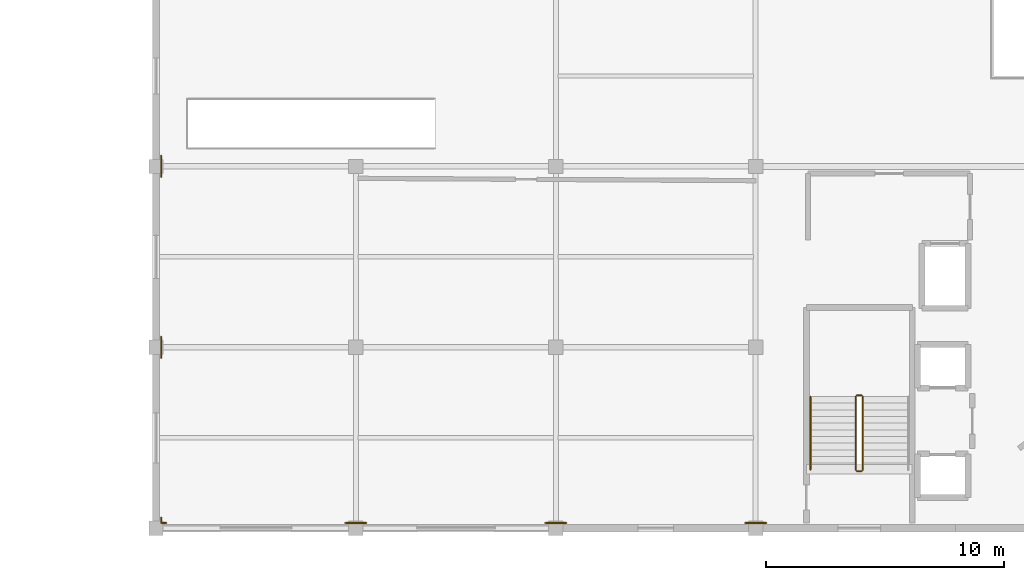
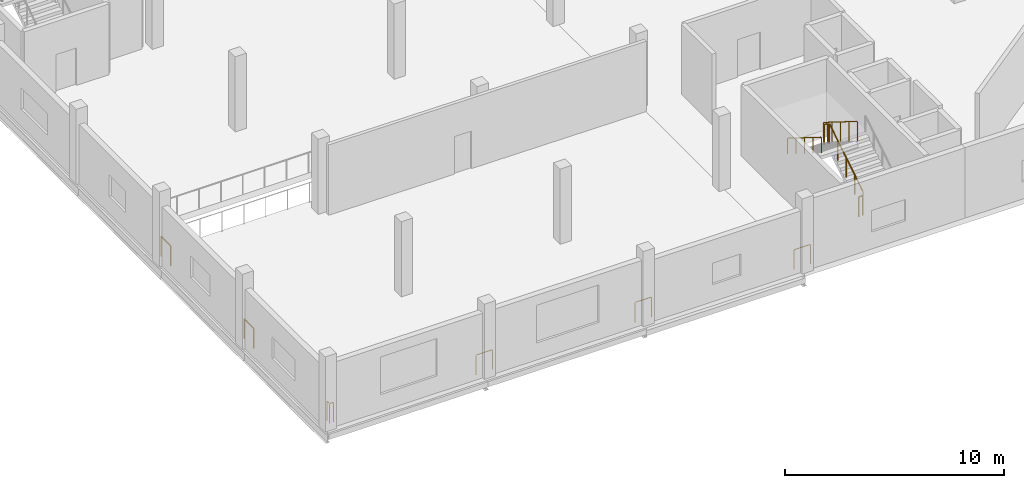
# One storey, part 203 of 217: 11 railings.
"""IFC4 building model written with IfcOpenShell, lengths in metres."""

import ifcopenshell
import ifcopenshell.guid

model = None  # the IFC model being written
_history = None  # IfcOwnerHistory: only IFC2X3 demands one
_inside = {}  # id of a spatial element -> (the spatial element, [elements in it])
_under = {}  # id of a project, library or spatial element -> (it, [spatial elements below it])
_declared = {}  # id of a project -> (the project, [libraries it declares])
_typed = {}  # id of a type object -> (the type object, [elements of that type])
_made_of = {}  # id of a material, layer set ... -> (it, [elements and type objects made of it])


def new_model(schema):
    """Start an empty IFC model of exactly this schema.

    Asked for "IFC4X3", IfcOpenShell would pick the latest addendum, in which some entities
    have other attributes; the version numbers below select the first issue.
    IFC2X3 requires an IfcOwnerHistory on every rooted entity: one is made here for all.
    """
    global model, _history
    if schema == "IFC4X3":
        model = ifcopenshell.file(schema_version=(4, 3, 0, 0))
    else:
        model = ifcopenshell.file(schema=schema)
    _inside.clear()
    _under.clear()
    _declared.clear()
    _typed.clear()
    _made_of.clear()
    _history = None
    if model.schema == "IFC2X3":
        org = make("IfcOrganization", Name="unknown")
        user = make(
            "IfcPersonAndOrganization",
            ThePerson=make("IfcPerson", FamilyName="unknown"),
            TheOrganization=org,
        )
        app = make(
            "IfcApplication",
            ApplicationDeveloper=org,
            Version="unknown",
            ApplicationFullName="unknown",
            ApplicationIdentifier="unknown",
        )
        _history = make(
            "IfcOwnerHistory",
            OwningUser=user,
            OwningApplication=app,
            ChangeAction="ADDED",
            CreationDate=0,
        )
    return model


def make(cls, **values):
    """One entity of the class cls with the attributes given. An attribute that is None is left unset."""
    return model.create_entity(
        cls, **{name: value for name, value in values.items() if value is not None}
    )


def rooted(cls, **values):
    """An entity with a GlobalId (a new one), such as an element, a storey or a relation."""
    return make(cls, GlobalId=ifcopenshell.guid.new(), OwnerHistory=_history, **values)


def si_unit(unit_type, name, prefix=None):
    """IfcSIUnit, for example si_unit("LENGTHUNIT", "METRE", prefix="MILLI")."""
    return make("IfcSIUnit", UnitType=unit_type, Prefix=prefix, Name=name)


def assignment(units):
    """IfcUnitAssignment: the units of a project."""
    return None if units is None else make("IfcUnitAssignment", Units=units)


def point(xyz):
    """IfcCartesianPoint."""
    return None if xyz is None else make("IfcCartesianPoint", Coordinates=xyz)


def direction(xyz):
    """IfcDirection."""
    return None if xyz is None else make("IfcDirection", DirectionRatios=xyz)


def frame(location, z_axis=None, x_axis=None):
    """IfcAxis2Placement3D, a coordinate frame: its origin and axes. An axis left out is left unset."""
    return make(
        "IfcAxis2Placement3D",
        Location=point(location),
        Axis=direction(z_axis),
        RefDirection=direction(x_axis),
    )


def frame_2d(location, x_axis=None):
    """IfcAxis2Placement2D, a coordinate frame in the plane: its origin and x axis."""
    return make(
        "IfcAxis2Placement2D", Location=point(location), RefDirection=direction(x_axis)
    )


def origin():
    """The frame at (0, 0, 0) with its axes left unset."""
    return frame((0.0, 0.0, 0.0))


def origin_2d():
    """The frame at (0, 0) in the plane with its x axis left unset."""
    return frame_2d((0.0, 0.0))


def place(relative_to, where):
    """IfcLocalPlacement: puts the frame where relative to a parent placement (None: the world)."""
    return make(
        "IfcLocalPlacement", PlacementRelTo=relative_to, RelativePlacement=where
    )


def context(
    kind, dimensions, precision=None, world=None, true_north=None, identifier=None
):
    """IfcGeometricRepresentationContext, for example the 3D "Model" context."""
    return make(
        "IfcGeometricRepresentationContext",
        ContextIdentifier=identifier,
        ContextType=kind,
        CoordinateSpaceDimension=dimensions,
        Precision=precision,
        WorldCoordinateSystem=world,
        TrueNorth=true_north,
    )


def subcontext(parent, identifier, kind, view, scale=None):
    """IfcGeometricRepresentationSubContext, for example "Body" below "Model"."""
    return make(
        "IfcGeometricRepresentationSubContext",
        ContextIdentifier=identifier,
        ContextType=kind,
        ParentContext=parent,
        TargetScale=scale,
        TargetView=view,
    )


def project(units=None, contexts=None):
    """IfcProject with its units and contexts."""
    return rooted(
        "IfcProject",
        Name="project",
        RepresentationContexts=contexts,
        UnitsInContext=assignment(units),
    )


def spatial(cls, under=None, at=None, **own):
    """A site, building, storey or space (cls), placed at a placement, below another one or the project."""
    s = rooted(cls, ObjectPlacement=at, **own)
    if under is not None:
        _under.setdefault(under.id(), (under, []))[1].append(s)
    return s


def profile(cls, at=None, kind="AREA", **sizes):
    """A parametric profile (cls). Its sizes go by their IFC names, for example OverallWidth=200.0."""
    return make(cls, ProfileType=kind, Position=at, **sizes)


def circle(**sizes):
    """IfcCircleProfileDef."""
    return profile("IfcCircleProfileDef", **sizes)


def extrude(swept, where, along, depth):
    """IfcExtrudedAreaSolid: the profile swept, set in the frame where, extruded along a direction by depth."""
    return make(
        "IfcExtrudedAreaSolid",
        SweptArea=swept,
        Position=where,
        ExtrudedDirection=direction(along),
        Depth=depth,
    )


def shape(context_of_items, identifier, shape_type, items):
    """IfcShapeRepresentation: the items that make up one representation, for example the "Body"."""
    return make(
        "IfcShapeRepresentation",
        ContextOfItems=context_of_items,
        RepresentationIdentifier=identifier,
        RepresentationType=shape_type,
        Items=items,
    )


def material(Name=None, Category=None):
    """IfcMaterial."""
    return make("IfcMaterial", Name=Name, Category=Category)


def made_of(thing, what):
    """Note that an element or type object is made of a material, layer set ...; save() writes the relation."""
    if what is not None:
        _made_of.setdefault(what.id(), (what, []))[1].append(thing)
    return thing


def type_object(cls, material=None, **own):
    """A type object (cls), such as IfcWallType, which elements share."""
    return made_of(rooted(cls, **own), material)


def element(
    cls,
    number,
    at=None,
    inside=None,
    cuts=None,
    type_object=None,
    material=None,
    context=None,
    identifier="Body",
    shape_type=None,
    held_by="IfcProductDefinitionShape",
    body=None,
    shapes=None,
    **own,
):
    """One element of the class cls, such as IfcWall. Its Tag is "e" and its number.

    at: its placement. inside: the storey or other place that contains it. cuts: it is an
    opening in that element (IfcRelVoidsElement). A single representation is given by context,
    identifier, shape_type and body (its items); several are given by shapes. held_by: the class
    of the entity that holds the representations. save() writes the other relations.
    """
    e = rooted(cls, Tag="e%d" % number, ObjectPlacement=at, **own)
    if body is not None:
        shapes = [shape(context, identifier, shape_type, body)]
    if shapes is not None:
        e.Representation = make(held_by, Representations=shapes)
    if inside is not None:
        _inside.setdefault(inside.id(), (inside, []))[1].append(e)
    if cuts is not None:
        rooted(
            "IfcRelVoidsElement", RelatingBuildingElement=cuts, RelatedOpeningElement=e
        )
    if type_object is not None:
        _typed.setdefault(type_object.id(), (type_object, []))[1].append(e)
    return made_of(e, material)


def aggregate(whole, parts):
    """IfcRelAggregates: a whole, such as a stair, and the parts it consists of."""
    return rooted("IfcRelAggregates", RelatingObject=whole, RelatedObjects=parts)


def save(model, path):
    """Write the relations noted so far, then the file.

    IfcRelAggregates (storeys below a building ...), IfcRelContainedInSpatialStructure (elements
    in a storey), IfcRelDefinesByType, IfcRelAssociatesMaterial and IfcRelDeclares: one each for
    every whole, place, type object, material and project.
    """
    for whole, parts in _under.values():
        aggregate(whole, parts)
    for where, things in _inside.values():
        rooted(
            "IfcRelContainedInSpatialStructure",
            RelatedElements=things,
            RelatingStructure=where,
        )
    for kind, things in _typed.values():
        rooted("IfcRelDefinesByType", RelatedObjects=things, RelatingType=kind)
    for what, things in _made_of.values():
        rooted("IfcRelAssociatesMaterial", RelatedObjects=things, RelatingMaterial=what)
    for by, libraries in _declared.values():
        rooted("IfcRelDeclares", RelatingContext=by, RelatedDefinitions=libraries)
    model.write(path)


model = new_model("IFC4")

# Units and contexts
model_context = context("Model", 3, precision=1e-05, world=origin(), true_north=direction((0.0, 1.0)))
body_context = subcontext(model_context, "Body", "Model", "MODEL_VIEW")
ifc_project = project(units=[si_unit("LENGTHUNIT", "METRE"), si_unit("AREAUNIT", "SQUARE_METRE"), si_unit("VOLUMEUNIT", "CUBIC_METRE"), si_unit("PLANEANGLEUNIT", "RADIAN"), si_unit("MASSUNIT", "GRAM", prefix="KILO")], contexts=[model_context])

# Site, building, storey
site_placement = place(None, origin())
site = spatial("IfcSite", under=ifc_project, at=site_placement, CompositionType="ELEMENT")
building_placement = place(site_placement, origin())
building = spatial("IfcBuilding", under=site, at=building_placement, Name="Zuvorla Pavilion Media Centre", CompositionType="ELEMENT")
storey_placement = place(building_placement, frame((0.0, 0.0, 9.60009765625)))
storey = spatial("IfcBuildingStorey", under=building, at=storey_placement, Name="L02", CompositionType="ELEMENT", Elevation=9.60009765625)

# Railings
ifc_material_1 = material(Name="Powder-coated steel balustrade guard", Category="steel")
railing_type_1 = type_object("IfcRailingType", Name="RL-INT-GRD", PredefinedType="BALUSTRADE", material=ifc_material_1)
railing_1_placement = place(storey_placement, frame((71.300048828125, 8.449951171875, 0.1748046875)))
element("IfcRailing", 1, at=railing_1_placement, inside=storey, type_object=railing_type_1, Name="L02 ST-01 stair guard 1", PredefinedType="BALUSTRADE", context=body_context, shape_type="SweptSolid", body=[
    extrude(circle(Radius=0.02392578125, at=origin_2d()), frame((0.0, 0.0244140625, 1.111328125), z_axis=(0.0, 0.847998304005, 0.529998940003), x_axis=(-1.0, 0.0, 0.0)), (0.0, 0.0, 1.0), 3.574462890625),
    extrude(circle(Radius=0.02099609375, at=origin_2d()), origin(), (0.0, 0.0, 1.0), 1.070068359375),
    extrude(circle(Radius=0.02099609375, at=origin_2d()), frame((0.0, 0.77001953125, 0.481201171875)), (0.0, 0.0, 1.0), 1.070068359375),
    extrude(circle(Radius=0.02099609375, at=origin_2d()), frame((0.0, 1.5400390625, 0.96240234375)), (0.0, 0.0, 1.0), 1.070068359375),
    extrude(circle(Radius=0.02099609375, at=origin_2d()), frame((0.0, 2.31005859375, 1.44384765625)), (0.0, 0.0, 1.0), 1.070068359375),
    extrude(circle(Radius=0.02099609375, at=origin_2d()), frame((0.0, 3.080078125, 1.925048828125)), (0.0, 0.0, 1.0), 1.070068359375),
])
railing_2_placement = place(storey_placement, frame((71.25, 11.580078125, 2.099853515625)))
element("IfcRailing", 2, at=railing_2_placement, inside=storey, type_object=railing_type_1, Name="L02 ST-01 stair guard 2", PredefinedType="BALUSTRADE", context=body_context, shape_type="SweptSolid", body=[
    extrude(circle(Radius=0.02392578125, at=origin_2d()), frame((-0.02880859375, 0.0, 1.09619140625), z_axis=(-1.0, 0.0, 0.0), x_axis=(0.0, -1.0, 0.0)), (0.0, 0.0, 1.0), 0.142333984375),
    extrude(circle(Radius=0.02099609375, at=origin_2d()), origin(), (0.0, 0.0, 1.0), 1.070068359375),
    extrude(circle(Radius=0.02099609375, at=origin_2d()), frame((-0.199951171875, 0.0, 0.0)), (0.0, 0.0, 1.0), 1.070068359375),
])
railing_3_placement = place(storey_placement, frame((71.0, 11.530029296875, 2.27490234375)))
element("IfcRailing", 3, at=railing_3_placement, inside=storey, type_object=railing_type_1, Name="L02 ST-01 stair guard 3", PredefinedType="BALUSTRADE", context=body_context, shape_type="SweptSolid", body=[
    extrude(circle(Radius=0.02392578125, at=origin_2d()), frame((0.0, -0.0244140625, 1.111328125), z_axis=(0.0, -0.847998304005, 0.529998940003), x_axis=(1.0, 0.0, 0.0)), (0.0, 0.0, 1.0), 3.574462890625),
    extrude(circle(Radius=0.02099609375, at=origin_2d()), origin(), (0.0, 0.0, 1.0), 1.070068359375),
    extrude(circle(Radius=0.02099609375, at=origin_2d()), frame((0.0, -0.77001953125, 0.481201171875)), (0.0, 0.0, 1.0), 1.070068359375),
    extrude(circle(Radius=0.02099609375, at=origin_2d()), frame((0.0, -1.5400390625, 0.96240234375)), (0.0, 0.0, 1.0), 1.070068359375),
    extrude(circle(Radius=0.02099609375, at=origin_2d()), frame((0.0, -2.31005859375, 1.44384765625)), (0.0, 0.0, 1.0), 1.070068359375),
    extrude(circle(Radius=0.02099609375, at=origin_2d()), frame((0.0, -3.080078125, 1.925048828125)), (0.0, 0.0, 1.0), 1.070068359375),
])
railing_4_placement = place(storey_placement, frame((71.25, 8.39990234375, 0.0)))
element("IfcRailing", 4, at=railing_4_placement, inside=storey, type_object=railing_type_1, Name="L02 ST-01 stair guard 4", PredefinedType="BALUSTRADE", context=body_context, shape_type="SweptSolid", body=[
    extrude(circle(Radius=0.02392578125, at=origin_2d()), frame((-0.02880859375, 0.0, 1.09619140625), z_axis=(-1.0, 0.0, 0.0), x_axis=(0.0, -1.0, 0.0)), (0.0, 0.0, 1.0), 0.142333984375),
    extrude(circle(Radius=0.02099609375, at=origin_2d()), origin(), (0.0, 0.0, 1.0), 1.070068359375),
    extrude(circle(Radius=0.02099609375, at=origin_2d()), frame((-0.199951171875, 0.0, 0.0)), (0.0, 0.0, 1.0), 1.070068359375),
])
railing_5_placement = place(storey_placement, frame((67.239990234375, 6.219970703125, 0.0)))
element("IfcRailing", 5, at=railing_5_placement, inside=storey, type_object=railing_type_1, Name="L02 slab edge guard 74", PredefinedType="BALUSTRADE", context=body_context, shape_type="SweptSolid", body=[
    extrude(circle(Radius=0.02392578125, at=origin_2d()), frame((-0.02880859375, 0.0, 1.09619140625), z_axis=(-1.0, 0.0, 0.0), x_axis=(0.0, -1.0, 0.0)), (0.0, 0.0, 1.0), 0.822265625),
    extrude(circle(Radius=0.02099609375, at=origin_2d()), origin(), (0.0, 0.0, 1.0), 1.070068359375),
    extrude(circle(Radius=0.02099609375, at=origin_2d()), frame((-0.8798828125, 0.0, 0.0)), (0.0, 0.0, 1.0), 1.070068359375),
])
railing_6_placement = place(storey_placement, frame((58.840087890625, 6.219970703125, 0.0)))
element("IfcRailing", 6, at=railing_6_placement, inside=storey, type_object=railing_type_1, Name="L02 slab edge guard 75", PredefinedType="BALUSTRADE", context=body_context, shape_type="SweptSolid", body=[
    extrude(circle(Radius=0.02392578125, at=origin_2d()), frame((-0.02880859375, 0.0, 1.09619140625), z_axis=(-1.0, 0.0, 0.0), x_axis=(0.0, -1.0, 0.0)), (0.0, 0.0, 1.0), 0.822509765625),
    extrude(circle(Radius=0.02099609375, at=origin_2d()), origin(), (0.0, 0.0, 1.0), 1.070068359375),
    extrude(circle(Radius=0.02099609375, at=origin_2d()), frame((-0.880126953125, 0.0, 0.0)), (0.0, 0.0, 1.0), 1.070068359375),
])
railing_7_placement = place(storey_placement, frame((50.43994140625, 6.219970703125, 0.0)))
element("IfcRailing", 7, at=railing_7_placement, inside=storey, type_object=railing_type_1, Name="L02 slab edge guard 76", PredefinedType="BALUSTRADE", context=body_context, shape_type="SweptSolid", body=[
    extrude(circle(Radius=0.02392578125, at=origin_2d()), frame((-0.02880859375, 0.0, 1.09619140625), z_axis=(-1.0, 0.0, 0.0), x_axis=(0.0, -1.0, 0.0)), (0.0, 0.0, 1.0), 0.822265625),
    extrude(circle(Radius=0.02099609375, at=origin_2d()), origin(), (0.0, 0.0, 1.0), 1.070068359375),
    extrude(circle(Radius=0.02099609375, at=origin_2d()), frame((-0.8798828125, 0.0, 0.0)), (0.0, 0.0, 1.0), 1.070068359375),
])
railing_8_placement = place(storey_placement, frame((42.0400390625, 6.219970703125, 0.0)))
element("IfcRailing", 8, at=railing_8_placement, inside=storey, type_object=railing_type_1, Name="L02 slab edge guard 77", PredefinedType="BALUSTRADE", context=body_context, shape_type="SweptSolid", body=[
    extrude(circle(Radius=0.02392578125, at=origin_2d()), frame((-0.02880859375, 0.0, 1.09619140625), z_axis=(-1.0, 0.0, 0.0), x_axis=(0.0, -1.0, 0.0)), (0.0, 0.0, 1.0), 0.162353515625),
    extrude(circle(Radius=0.02392578125, at=origin_2d()), frame((-0.219970703125, 0.02880859375, 1.09619140625), z_axis=(0.0, 1.0, 0.0), x_axis=(-1.0, 0.0, 0.0)), (0.0, 0.0, 1.0), 0.162353515625),
    extrude(circle(Radius=0.02099609375, at=origin_2d()), origin(), (0.0, 0.0, 1.0), 1.070068359375),
    extrude(circle(Radius=0.02099609375, at=origin_2d()), frame((-0.219970703125, 0.0, 0.0)), (0.0, 0.0, 1.0), 1.070068359375),
    extrude(circle(Radius=0.02099609375, at=origin_2d()), frame((-0.219970703125, 0.219970703125, 0.0)), (0.0, 0.0, 1.0), 1.070068359375),
])
railing_9_placement = place(storey_placement, frame((41.820068359375, 13.159912109375, 0.0)))
element("IfcRailing", 9, at=railing_9_placement, inside=storey, type_object=railing_type_1, Name="L02 slab edge guard 78", PredefinedType="BALUSTRADE", context=body_context, shape_type="SweptSolid", body=[
    extrude(circle(Radius=0.02392578125, at=origin_2d()), frame((0.0, 0.02880859375, 1.09619140625), z_axis=(0.0, 1.0, 0.0), x_axis=(-1.0, 0.0, 0.0)), (0.0, 0.0, 1.0), 0.822509765625),
    extrude(circle(Radius=0.02099609375, at=origin_2d()), origin(), (0.0, 0.0, 1.0), 1.070068359375),
    extrude(circle(Radius=0.02099609375, at=origin_2d()), frame((0.0, 0.880126953125, 0.0)), (0.0, 0.0, 1.0), 1.070068359375),
])
railing_10_placement = place(storey_placement, frame((41.820068359375, 20.760009765625, 0.0)))
element("IfcRailing", 10, at=railing_10_placement, inside=storey, type_object=railing_type_1, Name="L02 slab edge guard 79", PredefinedType="BALUSTRADE", context=body_context, shape_type="SweptSolid", body=[
    extrude(circle(Radius=0.02392578125, at=origin_2d()), frame((0.0, 0.02880859375, 1.09619140625), z_axis=(0.0, 1.0, 0.0), x_axis=(-1.0, 0.0, 0.0)), (0.0, 0.0, 1.0), 0.822265625),
    extrude(circle(Radius=0.02099609375, at=origin_2d()), origin(), (0.0, 0.0, 1.0), 1.070068359375),
    extrude(circle(Radius=0.02099609375, at=origin_2d()), frame((0.0, 0.8798828125, 0.0)), (0.0, 0.0, 1.0), 1.070068359375),
])
ifc_material_2 = material(Name="Brushed stainless steel tubular handrail", Category="steel")
railing_type_2 = type_object("IfcRailingType", Name="RL-INT-HND", PredefinedType="HANDRAIL", material=ifc_material_2)
railing_11_placement = place(storey_placement, frame((69.10009765625, 11.530029296875, 2.27490234375)))
element("IfcRailing", 11, at=railing_11_placement, inside=storey, type_object=railing_type_2, Name="L02 ST-01 handrail 2", PredefinedType="HANDRAIL", context=body_context, shape_type="SweptSolid", body=[
    extrude(circle(Radius=0.02392578125, at=origin_2d()), frame((0.0, -0.0244140625, 0.89111328125), z_axis=(0.0, -0.847998304005, 0.529998940003), x_axis=(1.0, 0.0, 0.0)), (0.0, 0.0, 1.0), 3.574462890625),
    extrude(circle(Radius=0.02099609375, at=origin_2d()), origin(), (0.0, 0.0, 1.0), 0.849853515625),
    extrude(circle(Radius=0.02099609375, at=origin_2d()), frame((0.0, -0.77001953125, 0.481201171875)), (0.0, 0.0, 1.0), 0.849853515625),
    extrude(circle(Radius=0.02099609375, at=origin_2d()), frame((0.0, -1.5400390625, 0.96240234375)), (0.0, 0.0, 1.0), 0.849853515625),
    extrude(circle(Radius=0.02099609375, at=origin_2d()), frame((0.0, -2.31005859375, 1.44384765625)), (0.0, 0.0, 1.0), 0.849853515625),
    extrude(circle(Radius=0.02099609375, at=origin_2d()), frame((0.0, -3.080078125, 1.925048828125)), (0.0, 0.0, 1.0), 0.849853515625),
])

save(model, "model.ifc")
